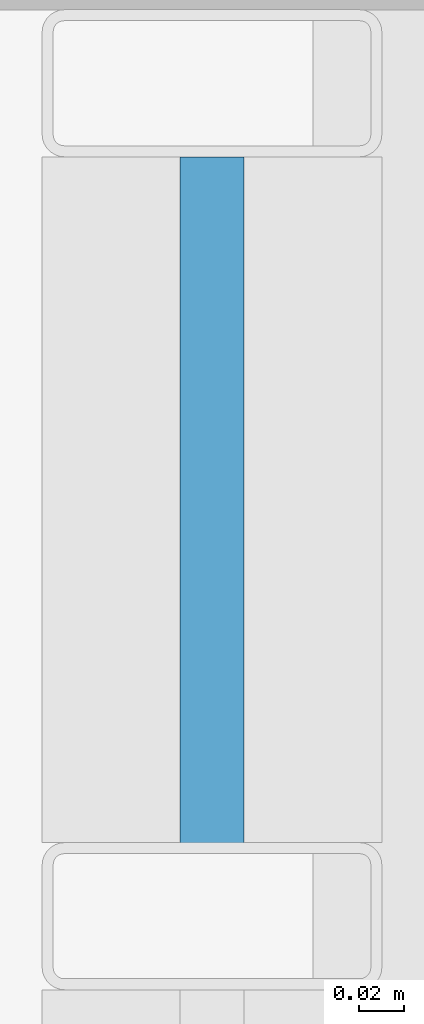
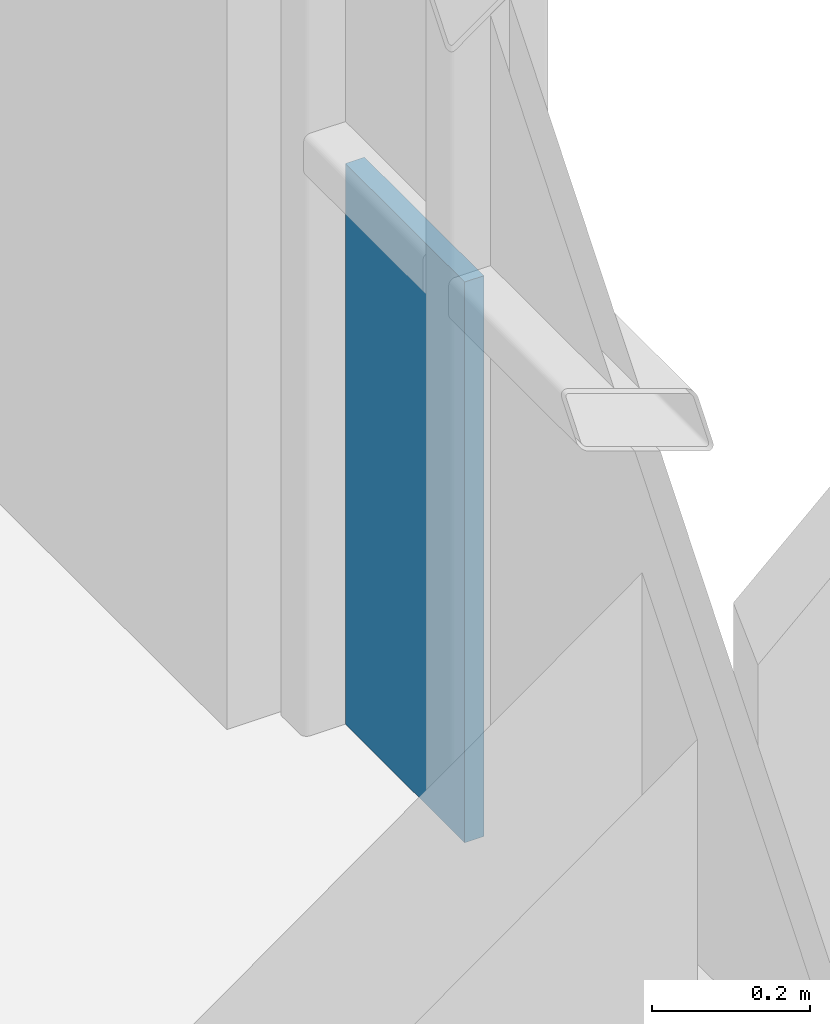
# One storey, part 26 of 38: 1 plate, 1 element without a shape of its own.
"""IFC4 building model written with IfcOpenShell, lengths in metres."""

from ifc_helpers import new_model, si_unit, direction, frame, origin, origin_2d, place, context, subcontext, project, spatial, rectangle, extrude, material, layer, layer_set, type_object, element, aggregate, save


model = new_model("IFC4")

# Units and contexts
model_context = context("Model", 3, precision=1e-05, world=origin(), true_north=direction((0.0, 1.0)))
body_context = subcontext(model_context, "Body", "Model", "MODEL_VIEW")
ifc_project = project(units=[si_unit("LENGTHUNIT", "METRE"), si_unit("AREAUNIT", "SQUARE_METRE"), si_unit("VOLUMEUNIT", "CUBIC_METRE"), si_unit("PLANEANGLEUNIT", "RADIAN"), si_unit("MASSUNIT", "GRAM", prefix="KILO")], contexts=[model_context])

# Site, building, storey
site_placement = place(None, origin())
site = spatial("IfcSite", under=ifc_project, at=site_placement, CompositionType="ELEMENT")
building_placement = place(site_placement, origin())
building = spatial("IfcBuilding", under=site, at=building_placement, Name="Brevholm Reach", CompositionType="ELEMENT")
storey_placement = place(building_placement, frame((0.0, 0.0, 59.0)))
storey = spatial("IfcBuildingStorey", under=building, at=storey_placement, Name="L16", CompositionType="ELEMENT", Elevation=59.0)

# Curtain wall, plate
ifc_material_1 = material(Name="Dark Anodised Aluminium 6063-T6 and Solar-Control Glass", Category="aluminium")
ifc_layer_1 = layer(ifc_material_1, 0.14990234375)
ifc_layer_set_1 = layer_set([ifc_layer_1], Name="Dark Anodised Aluminium 6063-T6 and Solar-Control Glass")
curtain_wall_type = type_object("IfcCurtainWallType", Name="CW-01", PredefinedType="NOTDEFINED", material=ifc_layer_set_1)
curtain_wall_placement = place(storey_placement, origin())
curtain_wall = element("IfcCurtainWall", 1, at=curtain_wall_placement, inside=storey, type_object=curtain_wall_type, Name="L16 Curtain Wall CW-01", PredefinedType="NOTDEFINED")
ifc_material_2 = material(Name="Dark Solar-Control Double-Glazed IGU Glass", Category="glass")
ifc_layer_2 = layer(ifc_material_2, 0.028076171875)
ifc_layer_set_2 = layer_set([ifc_layer_2], Name="Dark Solar-Control Double-Glazed IGU Glass")
plate_type = type_object("IfcPlateType", Name="CWP-GLZ-28", PredefinedType="CURTAIN_PANEL", material=ifc_layer_set_2)
plate_placement = place(storey_placement, frame((59.85009765625, 22.733642578125, 0.0), z_axis=(0.0, 0.0, 1.0), x_axis=(0.0, 1.0, 0.0)))
plate = element("IfcPlate", 2, at=plate_placement, type_object=plate_type, Name="CP-01 Glazing Panel 5.1", PredefinedType="CURTAIN_PANEL", context=body_context, shape_type="SweptSolid", body=[
    extrude(rectangle(XDim=0.302490234375, YDim=0.028076171875, at=origin_2d()), origin(), (0.0, 0.0, 1.0), 0.867431640625),
])
aggregate(curtain_wall, [plate])

save(model, "model.ifc")
